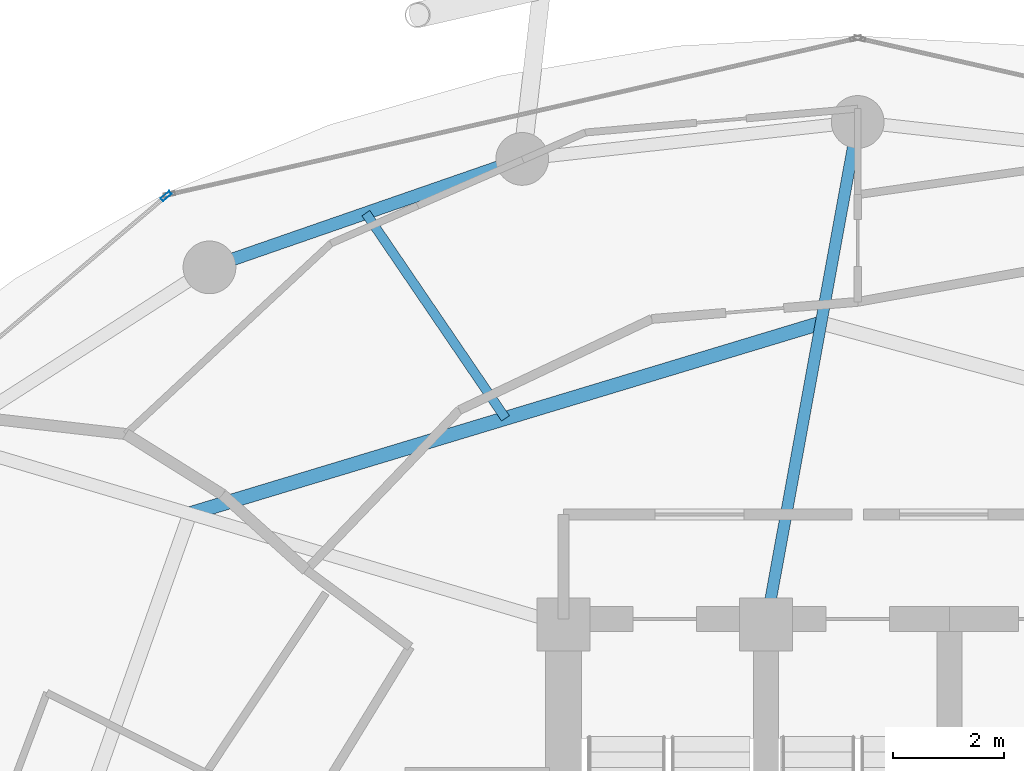
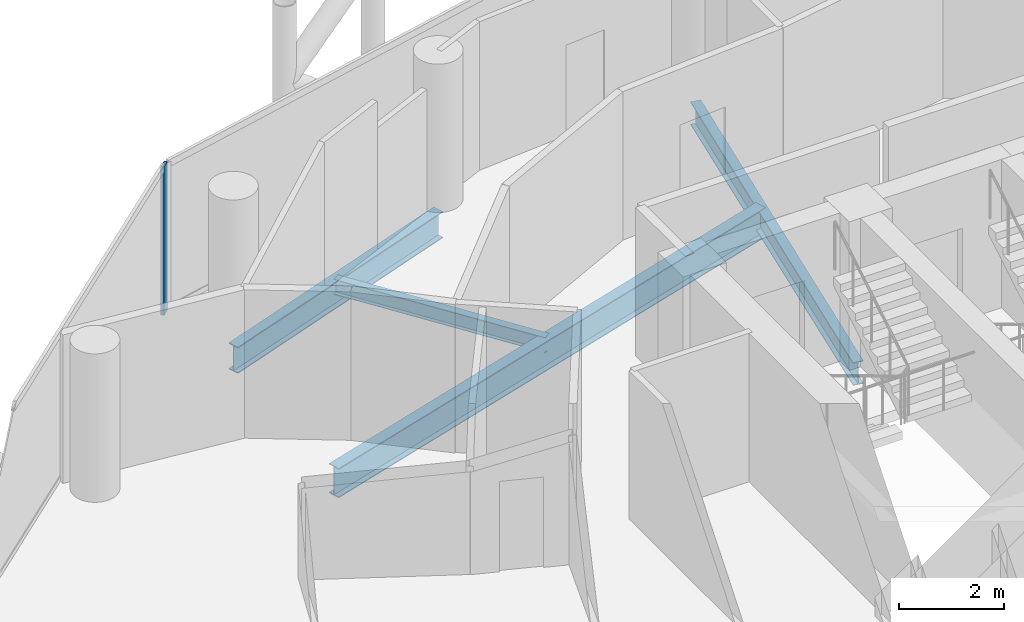
# One storey, part 15 of 26: 4 beams, 1 member, 1 element without a shape of its own.
"""IFC4 building model written with IfcOpenShell, lengths in metres."""

import ifcopenshell
import ifcopenshell.guid

model = None  # the IFC model being written
_history = None  # IfcOwnerHistory: only IFC2X3 demands one
_inside = {}  # id of a spatial element -> (the spatial element, [elements in it])
_under = {}  # id of a project, library or spatial element -> (it, [spatial elements below it])
_declared = {}  # id of a project -> (the project, [libraries it declares])
_typed = {}  # id of a type object -> (the type object, [elements of that type])
_made_of = {}  # id of a material, layer set ... -> (it, [elements and type objects made of it])


def new_model(schema):
    """Start an empty IFC model of exactly this schema.

    Asked for "IFC4X3", IfcOpenShell would pick the latest addendum, in which some entities
    have other attributes; the version numbers below select the first issue.
    IFC2X3 requires an IfcOwnerHistory on every rooted entity: one is made here for all.
    """
    global model, _history
    if schema == "IFC4X3":
        model = ifcopenshell.file(schema_version=(4, 3, 0, 0))
    else:
        model = ifcopenshell.file(schema=schema)
    _inside.clear()
    _under.clear()
    _declared.clear()
    _typed.clear()
    _made_of.clear()
    _history = None
    if model.schema == "IFC2X3":
        org = make("IfcOrganization", Name="unknown")
        user = make(
            "IfcPersonAndOrganization",
            ThePerson=make("IfcPerson", FamilyName="unknown"),
            TheOrganization=org,
        )
        app = make(
            "IfcApplication",
            ApplicationDeveloper=org,
            Version="unknown",
            ApplicationFullName="unknown",
            ApplicationIdentifier="unknown",
        )
        _history = make(
            "IfcOwnerHistory",
            OwningUser=user,
            OwningApplication=app,
            ChangeAction="ADDED",
            CreationDate=0,
        )
    return model


def make(cls, **values):
    """One entity of the class cls with the attributes given. An attribute that is None is left unset."""
    return model.create_entity(
        cls, **{name: value for name, value in values.items() if value is not None}
    )


def rooted(cls, **values):
    """An entity with a GlobalId (a new one), such as an element, a storey or a relation."""
    return make(cls, GlobalId=ifcopenshell.guid.new(), OwnerHistory=_history, **values)


def si_unit(unit_type, name, prefix=None):
    """IfcSIUnit, for example si_unit("LENGTHUNIT", "METRE", prefix="MILLI")."""
    return make("IfcSIUnit", UnitType=unit_type, Prefix=prefix, Name=name)


def assignment(units):
    """IfcUnitAssignment: the units of a project."""
    return None if units is None else make("IfcUnitAssignment", Units=units)


def point(xyz):
    """IfcCartesianPoint."""
    return None if xyz is None else make("IfcCartesianPoint", Coordinates=xyz)


def direction(xyz):
    """IfcDirection."""
    return None if xyz is None else make("IfcDirection", DirectionRatios=xyz)


def frame(location, z_axis=None, x_axis=None):
    """IfcAxis2Placement3D, a coordinate frame: its origin and axes. An axis left out is left unset."""
    return make(
        "IfcAxis2Placement3D",
        Location=point(location),
        Axis=direction(z_axis),
        RefDirection=direction(x_axis),
    )


def frame_2d(location, x_axis=None):
    """IfcAxis2Placement2D, a coordinate frame in the plane: its origin and x axis."""
    return make(
        "IfcAxis2Placement2D", Location=point(location), RefDirection=direction(x_axis)
    )


def origin():
    """The frame at (0, 0, 0) with its axes left unset."""
    return frame((0.0, 0.0, 0.0))


def origin_2d():
    """The frame at (0, 0) in the plane with its x axis left unset."""
    return frame_2d((0.0, 0.0))


def place(relative_to, where):
    """IfcLocalPlacement: puts the frame where relative to a parent placement (None: the world)."""
    return make(
        "IfcLocalPlacement", PlacementRelTo=relative_to, RelativePlacement=where
    )


def context(
    kind, dimensions, precision=None, world=None, true_north=None, identifier=None
):
    """IfcGeometricRepresentationContext, for example the 3D "Model" context."""
    return make(
        "IfcGeometricRepresentationContext",
        ContextIdentifier=identifier,
        ContextType=kind,
        CoordinateSpaceDimension=dimensions,
        Precision=precision,
        WorldCoordinateSystem=world,
        TrueNorth=true_north,
    )


def subcontext(parent, identifier, kind, view, scale=None):
    """IfcGeometricRepresentationSubContext, for example "Body" below "Model"."""
    return make(
        "IfcGeometricRepresentationSubContext",
        ContextIdentifier=identifier,
        ContextType=kind,
        ParentContext=parent,
        TargetScale=scale,
        TargetView=view,
    )


def project(units=None, contexts=None):
    """IfcProject with its units and contexts."""
    return rooted(
        "IfcProject",
        Name="project",
        RepresentationContexts=contexts,
        UnitsInContext=assignment(units),
    )


def spatial(cls, under=None, at=None, **own):
    """A site, building, storey or space (cls), placed at a placement, below another one or the project."""
    s = rooted(cls, ObjectPlacement=at, **own)
    if under is not None:
        _under.setdefault(under.id(), (under, []))[1].append(s)
    return s


def profile(cls, at=None, kind="AREA", **sizes):
    """A parametric profile (cls). Its sizes go by their IFC names, for example OverallWidth=200.0."""
    return make(cls, ProfileType=kind, Position=at, **sizes)


def hollow_rectangle(**sizes):
    """IfcRectangleHollowProfileDef."""
    return profile("IfcRectangleHollowProfileDef", **sizes)


def i_section(**sizes):
    """IfcIShapeProfileDef."""
    return profile("IfcIShapeProfileDef", **sizes)


def extrude(swept, where, along, depth):
    """IfcExtrudedAreaSolid: the profile swept, set in the frame where, extruded along a direction by depth."""
    return make(
        "IfcExtrudedAreaSolid",
        SweptArea=swept,
        Position=where,
        ExtrudedDirection=direction(along),
        Depth=depth,
    )


def shape(context_of_items, identifier, shape_type, items):
    """IfcShapeRepresentation: the items that make up one representation, for example the "Body"."""
    return make(
        "IfcShapeRepresentation",
        ContextOfItems=context_of_items,
        RepresentationIdentifier=identifier,
        RepresentationType=shape_type,
        Items=items,
    )


def material(Name=None, Category=None):
    """IfcMaterial."""
    return make("IfcMaterial", Name=Name, Category=Category)


def layer(
    of_material, thickness, ventilated=None, Name=None, Category=None, Priority=None
):
    """IfcMaterialLayer: one layer of a wall or slab, of a material (None: an air gap)."""
    return make(
        "IfcMaterialLayer",
        Material=of_material,
        LayerThickness=thickness,
        IsVentilated=ventilated,
        Name=Name,
        Category=Category,
        Priority=Priority,
    )


def layer_set(layers, Name=None):
    """IfcMaterialLayerSet."""
    return make("IfcMaterialLayerSet", MaterialLayers=layers, LayerSetName=Name)


def material_profile(
    of_material, cross_section, Name=None, Category=None, Priority=None
):
    """IfcMaterialProfile: a cross section and its material."""
    return make(
        "IfcMaterialProfile",
        Name=Name,
        Material=of_material,
        Profile=cross_section,
        Priority=Priority,
        Category=Category,
    )


def profile_set(profiles, Name=None, composite=None):
    """IfcMaterialProfileSet."""
    return make(
        "IfcMaterialProfileSet",
        Name=Name,
        MaterialProfiles=profiles,
        CompositeProfile=composite,
    )


def made_of(thing, what):
    """Note that an element or type object is made of a material, layer set ...; save() writes the relation."""
    if what is not None:
        _made_of.setdefault(what.id(), (what, []))[1].append(thing)
    return thing


def type_object(cls, material=None, **own):
    """A type object (cls), such as IfcWallType, which elements share."""
    return made_of(rooted(cls, **own), material)


def element(
    cls,
    number,
    at=None,
    inside=None,
    cuts=None,
    type_object=None,
    material=None,
    context=None,
    identifier="Body",
    shape_type=None,
    held_by="IfcProductDefinitionShape",
    body=None,
    shapes=None,
    **own,
):
    """One element of the class cls, such as IfcWall. Its Tag is "e" and its number.

    at: its placement. inside: the storey or other place that contains it. cuts: it is an
    opening in that element (IfcRelVoidsElement). A single representation is given by context,
    identifier, shape_type and body (its items); several are given by shapes. held_by: the class
    of the entity that holds the representations. save() writes the other relations.
    """
    e = rooted(cls, Tag="e%d" % number, ObjectPlacement=at, **own)
    if body is not None:
        shapes = [shape(context, identifier, shape_type, body)]
    if shapes is not None:
        e.Representation = make(held_by, Representations=shapes)
    if inside is not None:
        _inside.setdefault(inside.id(), (inside, []))[1].append(e)
    if cuts is not None:
        rooted(
            "IfcRelVoidsElement", RelatingBuildingElement=cuts, RelatedOpeningElement=e
        )
    if type_object is not None:
        _typed.setdefault(type_object.id(), (type_object, []))[1].append(e)
    return made_of(e, material)


def aggregate(whole, parts):
    """IfcRelAggregates: a whole, such as a stair, and the parts it consists of."""
    return rooted("IfcRelAggregates", RelatingObject=whole, RelatedObjects=parts)


def save(model, path):
    """Write the relations noted so far, then the file.

    IfcRelAggregates (storeys below a building ...), IfcRelContainedInSpatialStructure (elements
    in a storey), IfcRelDefinesByType, IfcRelAssociatesMaterial and IfcRelDeclares: one each for
    every whole, place, type object, material and project.
    """
    for whole, parts in _under.values():
        aggregate(whole, parts)
    for where, things in _inside.values():
        rooted(
            "IfcRelContainedInSpatialStructure",
            RelatedElements=things,
            RelatingStructure=where,
        )
    for kind, things in _typed.values():
        rooted("IfcRelDefinesByType", RelatedObjects=things, RelatingType=kind)
    for what, things in _made_of.values():
        rooted("IfcRelAssociatesMaterial", RelatedObjects=things, RelatingMaterial=what)
    for by, libraries in _declared.values():
        rooted("IfcRelDeclares", RelatingContext=by, RelatedDefinitions=libraries)
    model.write(path)


model = new_model("IFC4")

# Units and contexts
model_context = context("Model", 3, precision=1e-05, world=origin(), true_north=direction((0.0, 1.0)))
body_context = subcontext(model_context, "Body", "Model", "MODEL_VIEW")
ifc_project = project(units=[si_unit("LENGTHUNIT", "METRE"), si_unit("AREAUNIT", "SQUARE_METRE"), si_unit("VOLUMEUNIT", "CUBIC_METRE"), si_unit("PLANEANGLEUNIT", "RADIAN"), si_unit("MASSUNIT", "GRAM", prefix="KILO")], contexts=[model_context])

# Site, building, storey
site_placement = place(None, origin())
site = spatial("IfcSite", under=ifc_project, at=site_placement, CompositionType="ELEMENT")
building_placement = place(site_placement, origin())
building = spatial("IfcBuilding", under=site, at=building_placement, Name="Nuhasar Tower", CompositionType="ELEMENT")
storey_placement = place(building_placement, frame((0.0, 0.0, 155.25)))
storey = spatial("IfcBuildingStorey", under=building, at=storey_placement, Name="L37", CompositionType="ELEMENT", Elevation=155.25)

# Beams
ifc_material_1 = material(Name="Steel S355", Category="steel")
ifc_material_profile_1 = material_profile(ifc_material_1, i_section(OverallWidth=0.25390625, OverallDepth=0.68408203125, WebThickness=0.012451171875, FlangeThickness=0.018798828125, at=origin_2d()), Name="W27X94")
ifc_profile_set_1 = profile_set([ifc_material_profile_1], Name="Steel S355")
beam_type_1 = type_object("IfcBeamType", Name="BM-INRING-W27X94", PredefinedType="BEAM", material=ifc_profile_set_1)
beam_1_placement = place(storey_placement, frame((38.340087890625, 42.72998046875, -0.592041015625), z_axis=(-0.95722440557, -0.289346569673, 0.0), x_axis=(0.289346569673, -0.95722440557, 0.0)))
element("IfcBeam", 1, at=beam_1_placement, inside=storey, type_object=beam_type_1, Name="L37 Inner Header Beam 06", PredefinedType="BEAM", context=body_context, shape_type="SweptSolid", body=[
    extrude(i_section(OverallWidth=0.25390625, OverallDepth=0.68408203125, WebThickness=0.012451171875, FlangeThickness=0.018798828125, at=origin_2d()), origin(), (0.0, 0.0, 1.0), 11.875244140625),
])
ifc_material_profile_2 = material_profile(ifc_material_1, i_section(OverallWidth=0.1708984375, OverallDepth=0.35205078125, WebThickness=0.0068359375, FlangeThickness=0.009765625, at=origin_2d()), Name="W14X30")
ifc_profile_set_2 = profile_set([ifc_material_profile_2], Name="Steel S355")
beam_type_2 = type_object("IfcBeamType", Name="BM-JST-W14X30", PredefinedType="JOIST", material=ifc_profile_set_2)
beam_2_placement = place(storey_placement, frame((32.656982421875, 41.011962890625, -0.426025390625), z_axis=(-0.562802886474, 0.826591138941, 0.0), x_axis=(-0.826591138941, -0.562802886474, 0.0)))
element("IfcBeam", 2, at=beam_2_placement, inside=storey, type_object=beam_type_2, Name="L37 Secondary Floor Joist 06", PredefinedType="JOIST", context=body_context, shape_type="SweptSolid", body=[
    extrude(i_section(OverallWidth=0.1708984375, OverallDepth=0.35205078125, WebThickness=0.0068359375, FlangeThickness=0.009765625, at=origin_2d()), origin(), (0.0, 0.0, 1.0), 4.47021484375),
])
ifc_material_profile_3 = material_profile(ifc_material_1, i_section(OverallWidth=0.208984375, OverallDepth=0.532958984375, WebThickness=0.01025390625, FlangeThickness=0.015625, at=origin_2d()), Name="W21X62")
ifc_profile_set_3 = profile_set([ifc_material_profile_3], Name="Steel S355")
beam_type_3 = type_object("IfcBeamType", Name="BM-RAD-W21X62", PredefinedType="BEAM", material=ifc_profile_set_3)
beam_3_placement = place(storey_placement, frame((37.35009765625, 37.300048828125, -0.51708984375), z_axis=(0.179352509513, 0.983784873502, 0.0), x_axis=(-0.983784873502, 0.179352509513, 0.0)))
element("IfcBeam", 3, at=beam_3_placement, inside=storey, type_object=beam_type_3, Name="L37 Radial Floor Girder 06", PredefinedType="BEAM", context=body_context, shape_type="SweptSolid", body=[
    extrude(i_section(OverallWidth=0.208984375, OverallDepth=0.532958984375, WebThickness=0.01025390625, FlangeThickness=0.015625, at=origin_2d()), origin(), (0.0, 0.0, 1.0), 9.19921875),
])
ifc_material_profile_4 = material_profile(ifc_material_1, i_section(OverallWidth=0.22998046875, OverallDepth=0.616943359375, WebThickness=0.01318359375, FlangeThickness=0.022216796875, at=origin_2d()), Name="W24X94")
ifc_profile_set_4 = profile_set([ifc_material_profile_4], Name="Steel S355")
beam_type_4 = type_object("IfcBeamType", Name="BM-RING-W24X94", PredefinedType="SPANDREL", material=ifc_profile_set_4)
beam_4_placement = place(storey_placement, frame((32.95703125, 45.68408203125, -0.55908203125), z_axis=(-0.944801380051, -0.327643636066, 0.0), x_axis=(0.327643636066, -0.944801380051, 0.0)))
element("IfcBeam", 4, at=beam_4_placement, inside=storey, type_object=beam_type_4, Name="L37 Perimeter Ring Spandrel 08", PredefinedType="SPANDREL", context=body_context, shape_type="SweptSolid", body=[
    extrude(i_section(OverallWidth=0.22998046875, OverallDepth=0.616943359375, WebThickness=0.01318359375, FlangeThickness=0.022216796875, at=origin_2d()), origin(), (0.0, 0.0, 1.0), 5.961181640625),
])

# Curtain wall, member
ifc_material_2 = material(Name="Aluminium 6063-T6", Category="aluminium")
ifc_layer = layer(ifc_material_2, 0.199951171875)
ifc_layer_set = layer_set([ifc_layer], Name="Aluminium 6063-T6")
curtain_wall_type = type_object("IfcCurtainWallType", Name="CW-Z2-HTL", PredefinedType="NOTDEFINED", material=ifc_layer_set)
curtain_wall_placement = place(storey_placement, origin())
curtain_wall = element("IfcCurtainWall", 5, at=curtain_wall_placement, inside=storey, type_object=curtain_wall_type, Name="L37 Unitised Curtain Wall 05", PredefinedType="NOTDEFINED")
ifc_material_profile_5 = material_profile(ifc_material_2, hollow_rectangle(XDim=0.070068359375, YDim=0.199951171875, WallThickness=0.0048828125, at=origin_2d()), Name="CWM-3")
ifc_profile_set_5 = profile_set([ifc_material_profile_5], Name="Aluminium 6063-T6")
member_type = type_object("IfcMemberType", Name="CW-MUL-S3", PredefinedType="MULLION", material=ifc_profile_set_5)
member_placement = place(storey_placement, frame((26.543212890625, 45.015380859375, 0.0), z_axis=(0.0, 0.0, 1.0), x_axis=(0.646374438324, -0.763020370292, 0.0)))
member = element("IfcMember", 6, at=member_placement, type_object=member_type, Name="CW-Z2 mullion 1", PredefinedType="MULLION", context=body_context, shape_type="SweptSolid", body=[
    extrude(hollow_rectangle(XDim=0.070068359375, YDim=0.199951171875, WallThickness=0.0048828125, at=origin_2d()), origin(), (0.0, 0.0, 1.0), 3.449951171875),
])
aggregate(curtain_wall, [member])

save(model, "model.ifc")
